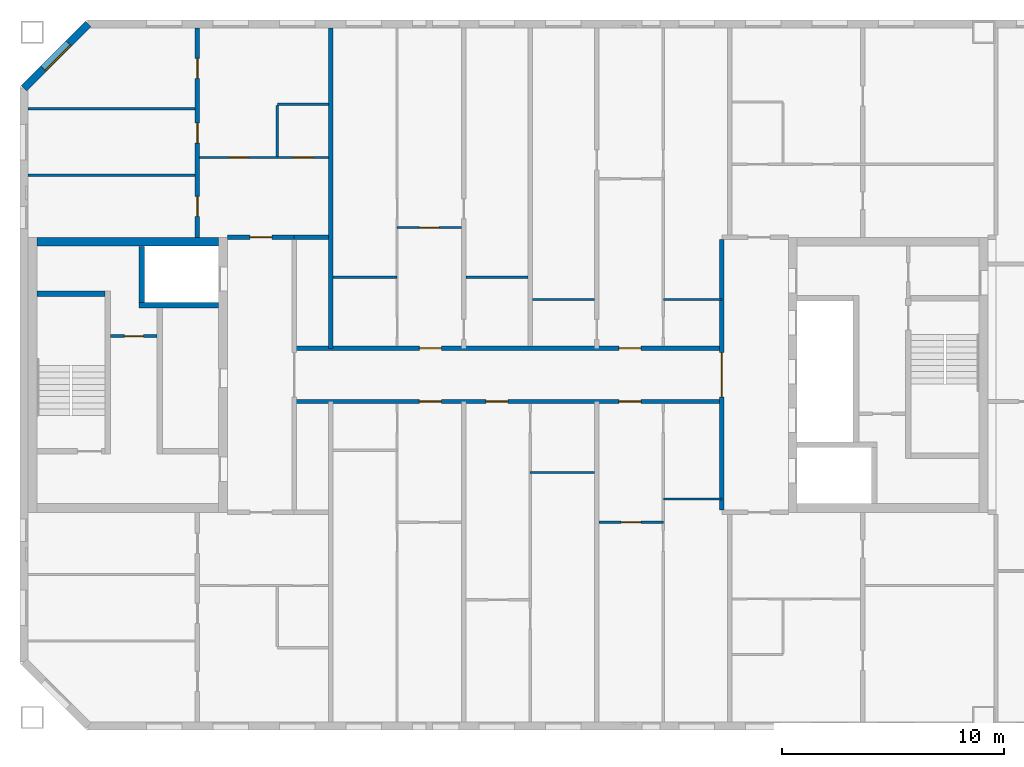
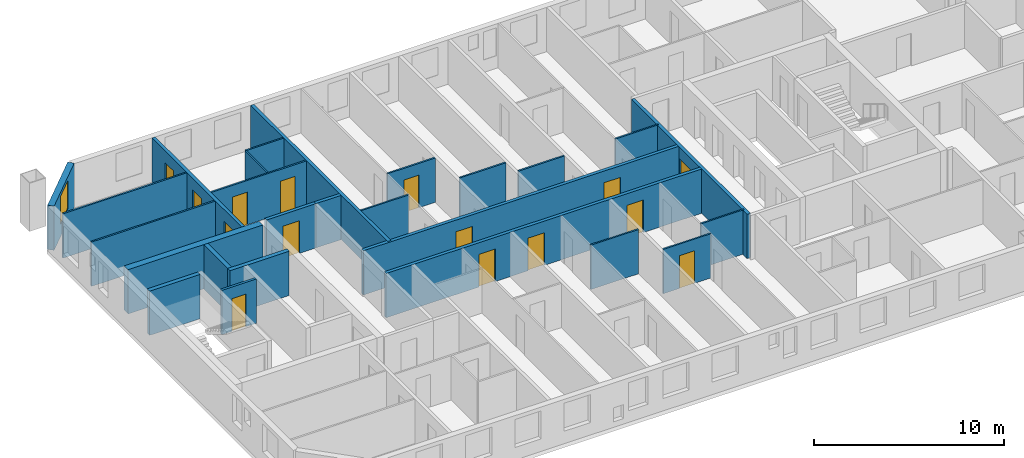
# One storey, part 6 of 19: 26 walls, 15 doors, 1 window, 16 openings.
"""IFC4 building model written with IfcOpenShell, lengths in metres."""

import ifcopenshell
import ifcopenshell.guid

model = None  # the IFC model being written
_history = None  # IfcOwnerHistory: only IFC2X3 demands one
_inside = {}  # id of a spatial element -> (the spatial element, [elements in it])
_under = {}  # id of a project, library or spatial element -> (it, [spatial elements below it])
_declared = {}  # id of a project -> (the project, [libraries it declares])
_typed = {}  # id of a type object -> (the type object, [elements of that type])
_made_of = {}  # id of a material, layer set ... -> (it, [elements and type objects made of it])


def new_model(schema):
    """Start an empty IFC model of exactly this schema.

    Asked for "IFC4X3", IfcOpenShell would pick the latest addendum, in which some entities
    have other attributes; the version numbers below select the first issue.
    IFC2X3 requires an IfcOwnerHistory on every rooted entity: one is made here for all.
    """
    global model, _history
    if schema == "IFC4X3":
        model = ifcopenshell.file(schema_version=(4, 3, 0, 0))
    else:
        model = ifcopenshell.file(schema=schema)
    _inside.clear()
    _under.clear()
    _declared.clear()
    _typed.clear()
    _made_of.clear()
    _history = None
    if model.schema == "IFC2X3":
        org = make("IfcOrganization", Name="unknown")
        user = make(
            "IfcPersonAndOrganization",
            ThePerson=make("IfcPerson", FamilyName="unknown"),
            TheOrganization=org,
        )
        app = make(
            "IfcApplication",
            ApplicationDeveloper=org,
            Version="unknown",
            ApplicationFullName="unknown",
            ApplicationIdentifier="unknown",
        )
        _history = make(
            "IfcOwnerHistory",
            OwningUser=user,
            OwningApplication=app,
            ChangeAction="ADDED",
            CreationDate=0,
        )
    return model


def make(cls, **values):
    """One entity of the class cls with the attributes given. An attribute that is None is left unset."""
    return model.create_entity(
        cls, **{name: value for name, value in values.items() if value is not None}
    )


def rooted(cls, **values):
    """An entity with a GlobalId (a new one), such as an element, a storey or a relation."""
    return make(cls, GlobalId=ifcopenshell.guid.new(), OwnerHistory=_history, **values)


def si_unit(unit_type, name, prefix=None):
    """IfcSIUnit, for example si_unit("LENGTHUNIT", "METRE", prefix="MILLI")."""
    return make("IfcSIUnit", UnitType=unit_type, Prefix=prefix, Name=name)


def assignment(units):
    """IfcUnitAssignment: the units of a project."""
    return None if units is None else make("IfcUnitAssignment", Units=units)


def point(xyz):
    """IfcCartesianPoint."""
    return None if xyz is None else make("IfcCartesianPoint", Coordinates=xyz)


def direction(xyz):
    """IfcDirection."""
    return None if xyz is None else make("IfcDirection", DirectionRatios=xyz)


def frame(location, z_axis=None, x_axis=None):
    """IfcAxis2Placement3D, a coordinate frame: its origin and axes. An axis left out is left unset."""
    return make(
        "IfcAxis2Placement3D",
        Location=point(location),
        Axis=direction(z_axis),
        RefDirection=direction(x_axis),
    )


def frame_2d(location, x_axis=None):
    """IfcAxis2Placement2D, a coordinate frame in the plane: its origin and x axis."""
    return make(
        "IfcAxis2Placement2D", Location=point(location), RefDirection=direction(x_axis)
    )


def origin():
    """The frame at (0, 0, 0) with its axes left unset."""
    return frame((0.0, 0.0, 0.0))


def place(relative_to, where):
    """IfcLocalPlacement: puts the frame where relative to a parent placement (None: the world)."""
    return make(
        "IfcLocalPlacement", PlacementRelTo=relative_to, RelativePlacement=where
    )


def context(
    kind, dimensions, precision=None, world=None, true_north=None, identifier=None
):
    """IfcGeometricRepresentationContext, for example the 3D "Model" context."""
    return make(
        "IfcGeometricRepresentationContext",
        ContextIdentifier=identifier,
        ContextType=kind,
        CoordinateSpaceDimension=dimensions,
        Precision=precision,
        WorldCoordinateSystem=world,
        TrueNorth=true_north,
    )


def subcontext(parent, identifier, kind, view, scale=None):
    """IfcGeometricRepresentationSubContext, for example "Body" below "Model"."""
    return make(
        "IfcGeometricRepresentationSubContext",
        ContextIdentifier=identifier,
        ContextType=kind,
        ParentContext=parent,
        TargetScale=scale,
        TargetView=view,
    )


def project(units=None, contexts=None):
    """IfcProject with its units and contexts."""
    return rooted(
        "IfcProject",
        Name="project",
        RepresentationContexts=contexts,
        UnitsInContext=assignment(units),
    )


def spatial(cls, under=None, at=None, **own):
    """A site, building, storey or space (cls), placed at a placement, below another one or the project."""
    s = rooted(cls, ObjectPlacement=at, **own)
    if under is not None:
        _under.setdefault(under.id(), (under, []))[1].append(s)
    return s


def profile(cls, at=None, kind="AREA", **sizes):
    """A parametric profile (cls). Its sizes go by their IFC names, for example OverallWidth=200.0."""
    return make(cls, ProfileType=kind, Position=at, **sizes)


def rectangle(**sizes):
    """IfcRectangleProfileDef."""
    return profile("IfcRectangleProfileDef", **sizes)


def extrude(swept, where, along, depth):
    """IfcExtrudedAreaSolid: the profile swept, set in the frame where, extruded along a direction by depth."""
    return make(
        "IfcExtrudedAreaSolid",
        SweptArea=swept,
        Position=where,
        ExtrudedDirection=direction(along),
        Depth=depth,
    )


def shape(context_of_items, identifier, shape_type, items):
    """IfcShapeRepresentation: the items that make up one representation, for example the "Body"."""
    return make(
        "IfcShapeRepresentation",
        ContextOfItems=context_of_items,
        RepresentationIdentifier=identifier,
        RepresentationType=shape_type,
        Items=items,
    )


def material(Name=None, Category=None):
    """IfcMaterial."""
    return make("IfcMaterial", Name=Name, Category=Category)


def layer(
    of_material, thickness, ventilated=None, Name=None, Category=None, Priority=None
):
    """IfcMaterialLayer: one layer of a wall or slab, of a material (None: an air gap)."""
    return make(
        "IfcMaterialLayer",
        Material=of_material,
        LayerThickness=thickness,
        IsVentilated=ventilated,
        Name=Name,
        Category=Category,
        Priority=Priority,
    )


def layer_set(layers, Name=None):
    """IfcMaterialLayerSet."""
    return make("IfcMaterialLayerSet", MaterialLayers=layers, LayerSetName=Name)


def made_of(thing, what):
    """Note that an element or type object is made of a material, layer set ...; save() writes the relation."""
    if what is not None:
        _made_of.setdefault(what.id(), (what, []))[1].append(thing)
    return thing


def type_object(cls, material=None, **own):
    """A type object (cls), such as IfcWallType, which elements share."""
    return made_of(rooted(cls, **own), material)


def element(
    cls,
    number,
    at=None,
    inside=None,
    cuts=None,
    type_object=None,
    material=None,
    context=None,
    identifier="Body",
    shape_type=None,
    held_by="IfcProductDefinitionShape",
    body=None,
    shapes=None,
    **own,
):
    """One element of the class cls, such as IfcWall. Its Tag is "e" and its number.

    at: its placement. inside: the storey or other place that contains it. cuts: it is an
    opening in that element (IfcRelVoidsElement). A single representation is given by context,
    identifier, shape_type and body (its items); several are given by shapes. held_by: the class
    of the entity that holds the representations. save() writes the other relations.
    """
    e = rooted(cls, Tag="e%d" % number, ObjectPlacement=at, **own)
    if body is not None:
        shapes = [shape(context, identifier, shape_type, body)]
    if shapes is not None:
        e.Representation = make(held_by, Representations=shapes)
    if inside is not None:
        _inside.setdefault(inside.id(), (inside, []))[1].append(e)
    if cuts is not None:
        rooted(
            "IfcRelVoidsElement", RelatingBuildingElement=cuts, RelatedOpeningElement=e
        )
    if type_object is not None:
        _typed.setdefault(type_object.id(), (type_object, []))[1].append(e)
    return made_of(e, material)


def fill(opening, filler):
    """IfcRelFillsElement: the door or window that sits in an opening."""
    return rooted(
        "IfcRelFillsElement",
        RelatingOpeningElement=opening,
        RelatedBuildingElement=filler,
    )


def aggregate(whole, parts):
    """IfcRelAggregates: a whole, such as a stair, and the parts it consists of."""
    return rooted("IfcRelAggregates", RelatingObject=whole, RelatedObjects=parts)


def save(model, path):
    """Write the relations noted so far, then the file.

    IfcRelAggregates (storeys below a building ...), IfcRelContainedInSpatialStructure (elements
    in a storey), IfcRelDefinesByType, IfcRelAssociatesMaterial and IfcRelDeclares: one each for
    every whole, place, type object, material and project.
    """
    for whole, parts in _under.values():
        aggregate(whole, parts)
    for where, things in _inside.values():
        rooted(
            "IfcRelContainedInSpatialStructure",
            RelatedElements=things,
            RelatingStructure=where,
        )
    for kind, things in _typed.values():
        rooted("IfcRelDefinesByType", RelatedObjects=things, RelatingType=kind)
    for what, things in _made_of.values():
        rooted("IfcRelAssociatesMaterial", RelatedObjects=things, RelatingMaterial=what)
    for by, libraries in _declared.values():
        rooted("IfcRelDeclares", RelatingContext=by, RelatedDefinitions=libraries)
    model.write(path)


model = new_model("IFC4")

# Units and contexts
model_context = context("Model", 3, precision=1e-05, world=origin(), true_north=direction((0.0, 1.0)))
body_context = subcontext(model_context, "Body", "Model", "MODEL_VIEW")
ifc_project = project(units=[si_unit("LENGTHUNIT", "METRE"), si_unit("AREAUNIT", "SQUARE_METRE"), si_unit("VOLUMEUNIT", "CUBIC_METRE"), si_unit("PLANEANGLEUNIT", "RADIAN"), si_unit("MASSUNIT", "GRAM", prefix="KILO")], contexts=[model_context])

# Site, building, storey
site_placement = place(None, origin())
site = spatial("IfcSite", under=ifc_project, at=site_placement, CompositionType="ELEMENT")
building_placement = place(site_placement, origin())
building = spatial("IfcBuilding", under=site, at=building_placement, Name="Tuart Gate Housing", CompositionType="ELEMENT")
storey_placement = place(building_placement, frame((0.0, 0.0, 227.60009765625)))
storey = spatial("IfcBuildingStorey", under=building, at=storey_placement, Name="L64", CompositionType="ELEMENT", Elevation=227.60009765625)

# Wall, opening, window
ifc_material_1 = material(Name="Brick", Category="masonry")
ifc_layer_1 = layer(ifc_material_1, 0.360107421875)
ifc_layer_set_1 = layer_set([ifc_layer_1], Name="Brick pier and spandrel wall 360")
wall_type_1 = type_object("IfcWallType", Name="Brick pier and spandrel wall 360", PredefinedType="STANDARD", material=ifc_layer_set_1)
wall_1_placement = place(storey_placement, frame((35.07470703125, 85.820068359375, 0.0), z_axis=(0.0, 0.0, 1.0), x_axis=(-0.707106781187, -0.707106781187, 0.0)))
wall_1 = element("IfcWall", 1, at=wall_1_placement, inside=storey, type_object=wall_type_1, Name="External wall BLK-NW L64", PredefinedType="STANDARD", context=body_context, shape_type="SweptSolid", body=[
    extrude(rectangle(XDim=4.09375, YDim=0.360107421875, at=frame_2d((2.046875, 0.0))), origin(), (0.0, 0.0, 1.0), 2.849853515625),
])
opening_1_placement = place(wall_1_placement, frame((1.2470703125, 0.0, 0.800048828125)))
opening_1 = element("IfcOpeningElement", 2, at=opening_1_placement, cuts=wall_1, Name="Opening W1", PredefinedType="OPENING", context=body_context, shape_type="SweptSolid", body=[
    extrude(rectangle(XDim=1.60009765625, YDim=1.800048828125, at=frame_2d((0.800048828125, 0.89990234375))), frame((0.0, 0.18994140625, 0.0), z_axis=(0.0, -1.0, 0.0), x_axis=(1.0, 0.0, 0.0)), (0.0, 0.0, 1.0), 0.380126953125),
])
ifc_material_2 = material(Name="Aluminium frame with clear glass", Category="aluminium")
window_type = type_object("IfcWindowType", Name="Punched window 1600 x 1800", PartitioningType="SINGLE_PANEL", PredefinedType="WINDOW", material=ifc_material_2)
window_placement = place(opening_1_placement, origin())
window = element("IfcWindow", 3, at=window_placement, inside=storey, type_object=window_type, Name="Window W1", OverallHeight=1.800048828125, OverallWidth=1.60009765625, PartitioningType="SINGLE_PANEL", PredefinedType="WINDOW", context=body_context, shape_type="SweptSolid", body=[
    extrude(rectangle(XDim=1.60009765625, YDim=1.800048828125, at=frame_2d((0.800048828125, 0.89990234375))), frame((0.0, 0.150146484375, 0.0), z_axis=(0.0, -1.0, 0.0), x_axis=(1.0, 0.0, 0.0)), (0.0, 0.0, 1.0), 0.06005859375),
])
fill(opening_1, window)

# Wall, opening, door
ifc_material_3 = material(Name="Plasterboard partition")
ifc_layer_2 = layer(ifc_material_3, 0.14990234375)
ifc_layer_set_2 = layer_set([ifc_layer_2], Name="Core partition 150")
wall_type_2 = type_object("IfcWallType", Name="Core partition 150", PredefinedType="PARTITIONING", material=ifc_layer_set_2)
wall_2_placement = place(storey_placement, frame((38.18505859375, 71.75, 0.0), z_axis=(0.0, 0.0, 1.0), x_axis=(-1.0, 0.0, 0.0)))
wall_2 = element("IfcWall", 4, at=wall_2_placement, inside=storey, type_object=wall_type_2, Name="Core partition AK.3", PredefinedType="PARTITIONING", context=body_context, shape_type="SweptSolid", body=[
    extrude(rectangle(XDim=2.10009765625, YDim=0.14990234375, at=frame_2d((1.050048828125, 0.0))), origin(), (0.0, 0.0, 1.0), 2.849853515625),
])
opening_2_placement = place(wall_2_placement, frame((0.625, 0.0, 0.0)))
opening_2 = element("IfcOpeningElement", 5, at=opening_2_placement, cuts=wall_2, Name="Opening D2298", PredefinedType="OPENING", context=body_context, shape_type="SweptSolid", body=[
    extrude(rectangle(XDim=0.85009765625, YDim=2.10009765625, at=frame_2d((0.425048828125, 1.050048828125))), frame((0.0, 0.0849609375, 0.0), z_axis=(0.0, -1.0, 0.0), x_axis=(1.0, 0.0, 0.0)), (0.0, 0.0, 1.0), 0.169921875),
])
ifc_material_4 = material(Name="Steel fire door", Category="steel")
door_type_1 = type_object("IfcDoorType", Name="Riser door 850 x 2100 RH", OperationType="SINGLE_SWING_RIGHT", PredefinedType="DOOR", material=ifc_material_4)
door_1_placement = place(opening_2_placement, frame((0.85009765625, 0.0, 0.0), z_axis=(0.0, 0.0, 1.0), x_axis=(-1.0, 0.0, 0.0)))
door_1 = element("IfcDoor", 6, at=door_1_placement, inside=storey, type_object=door_type_1, Name="Service room door AK.E1", OperationType="SINGLE_SWING_RIGHT", OverallHeight=2.10009765625, OverallWidth=0.85009765625, PredefinedType="DOOR", context=body_context, shape_type="SweptSolid", body=[
    extrude(rectangle(XDim=0.85009765625, YDim=2.10009765625, at=frame_2d((0.425048828125, 1.050048828125))), frame((0.0, 0.025146484375, 0.0), z_axis=(0.0, -1.0, 0.0), x_axis=(1.0, 0.0, 0.0)), (0.0, 0.0, 1.0), 0.050048828125),
])
fill(opening_2, door_1)

# Walls
ifc_material_5 = material(Name="Concrete C40", Category="concrete")
ifc_layer_3 = layer(ifc_material_5, 0.25)
ifc_layer_set_3 = layer_set([ifc_layer_3], Name="Core wall 250 C40")
wall_type_3 = type_object("IfcWallType", Name="Core wall 250 C40", PredefinedType="SHEAR", material=ifc_layer_set_3)
wall_3_placement = place(storey_placement, frame((35.8349609375, 73.64990234375, 0.0), z_axis=(0.0, 0.0, 1.0), x_axis=(-1.0, 0.0, 0.0)))
element("IfcWall", 7, at=wall_3_placement, inside=storey, type_object=wall_type_3, Name="Core wall AK.1", PredefinedType="SHEAR", context=body_context, shape_type="SweptSolid", body=[
    extrude(rectangle(XDim=3.074951171875, YDim=0.25, at=frame_2d((1.53759765625, 0.0))), origin(), (0.0, 0.0, 1.0), 2.849853515625),
])
wall_4_placement = place(storey_placement, frame((40.9599609375, 73.14990234375, 0.0), z_axis=(0.0, 0.0, 1.0), x_axis=(-1.0, 0.0, 0.0)))
element("IfcWall", 8, at=wall_4_placement, inside=storey, type_object=wall_type_3, Name="Core wall AK.2", PredefinedType="SHEAR", context=body_context, shape_type="SweptSolid", body=[
    extrude(rectangle(XDim=3.594970703125, YDim=0.25, at=frame_2d((1.79736328125, 0.0))), origin(), (0.0, 0.0, 1.0), 2.849853515625),
])
wall_5_placement = place(storey_placement, frame((37.489990234375, 75.800048828125, 0.0), z_axis=(0.0, 0.0, 1.0), x_axis=(0.0, -1.0, 0.0)))
element("IfcWall", 9, at=wall_5_placement, inside=storey, type_object=wall_type_3, Name="Core wall AK.7", PredefinedType="SHEAR", context=body_context, shape_type="SweptSolid", body=[
    extrude(rectangle(XDim=2.525146484375, YDim=0.25, at=frame_2d((1.2626953125, 0.0))), origin(), (0.0, 0.0, 1.0), 2.849853515625),
])
ifc_material_6 = material(Name="Concrete C40", Category="concrete")
ifc_layer_4 = layer(ifc_material_6, 0.39990234375)
ifc_layer_set_4 = layer_set([ifc_layer_4], Name="Core wall 400 C40")
wall_type_4 = type_object("IfcWallType", Name="Core wall 400 C40", PredefinedType="SHEAR", material=ifc_layer_set_4)
wall_6_placement = place(storey_placement, frame((40.9599609375, 76.0, 0.0), z_axis=(0.0, 0.0, 1.0), x_axis=(-1.0, 0.0, 0.0)))
element("IfcWall", 10, at=wall_6_placement, inside=storey, type_object=wall_type_4, Name="Core wall AK south", PredefinedType="SHEAR", context=body_context, shape_type="SweptSolid", body=[
    extrude(rectangle(XDim=8.199951171875, YDim=0.39990234375, at=frame_2d((4.10009765625, 0.0))), origin(), (0.0, 0.0, 1.0), 2.849853515625),
])

# Wall, openings, doors
ifc_material_7 = material(Name="Concrete masonry 15 MPa", Category="masonry")
ifc_layer_5 = layer(ifc_material_7, 0.199951171875)
ifc_layer_set_5 = layer_set([ifc_layer_5], Name="Corridor wall masonry 200")
wall_type_5 = type_object("IfcWallType", Name="Corridor wall masonry 200", PredefinedType="PARTITIONING", material=ifc_layer_set_5)
wall_7_placement = place(storey_placement, frame((44.360107421875, 68.800048828125, 0.0), z_axis=(0.0, 0.0, 1.0), x_axis=(1.0, 0.0, 0.0)))
wall_7 = element("IfcWall", 11, at=wall_7_placement, inside=storey, type_object=wall_type_5, Name="Corridor wall masonry 200", PredefinedType="PARTITIONING", context=body_context, shape_type="SweptSolid", body=[
    extrude(rectangle(XDim=19.27978515625, YDim=0.199951171875, at=frame_2d((9.639892578125, 0.0))), origin(), (0.0, 0.0, 1.0), 2.849853515625),
])
opening_3_placement = place(wall_7_placement, frame((14.639892578125, 0.0, 0.0)))
opening_3 = element("IfcOpeningElement", 12, at=opening_3_placement, cuts=wall_7, Name="Opening D2308", PredefinedType="OPENING", context=body_context, shape_type="SweptSolid", body=[
    extrude(rectangle(XDim=1.0, YDim=2.10009765625, at=frame_2d((0.5, 1.050048828125))), frame((0.0, 0.10986328125, 0.0), z_axis=(0.0, -1.0, 0.0), x_axis=(1.0, 0.0, 0.0)), (0.0, 0.0, 1.0), 0.219970703125),
])
opening_4_placement = place(wall_7_placement, frame((8.639892578125, 0.0, 0.0)))
opening_4 = element("IfcOpeningElement", 13, at=opening_4_placement, cuts=wall_7, Name="Opening D2309", PredefinedType="OPENING", context=body_context, shape_type="SweptSolid", body=[
    extrude(rectangle(XDim=1.0, YDim=2.10009765625, at=frame_2d((0.5, 1.050048828125))), frame((0.0, 0.10986328125, 0.0), z_axis=(0.0, -1.0, 0.0), x_axis=(1.0, 0.0, 0.0)), (0.0, 0.0, 1.0), 0.219970703125),
])
opening_5_placement = place(wall_7_placement, frame((5.639892578125, 0.0, 0.0)))
opening_5 = element("IfcOpeningElement", 14, at=opening_5_placement, cuts=wall_7, Name="Opening D2310", PredefinedType="OPENING", context=body_context, shape_type="SweptSolid", body=[
    extrude(rectangle(XDim=1.0, YDim=2.10009765625, at=frame_2d((0.5, 1.050048828125))), frame((0.0, 0.10986328125, 0.0), z_axis=(0.0, -1.0, 0.0), x_axis=(1.0, 0.0, 0.0)), (0.0, 0.0, 1.0), 0.219970703125),
])
ifc_material_8 = material(Name="Timber door leaf in steel frame", Category="steel")
door_type_2 = type_object("IfcDoorType", Name="Flat entrance door 1000 RH", OperationType="SINGLE_SWING_RIGHT", PredefinedType="DOOR", material=ifc_material_8)
door_2_placement = place(opening_3_placement, frame((1.0, 0.0, 0.0), z_axis=(0.0, 0.0, 1.0), x_axis=(-1.0, 0.0, 0.0)))
door_2 = element("IfcDoor", 15, at=door_2_placement, inside=storey, type_object=door_type_2, Name="Flat entrance door", OperationType="SINGLE_SWING_RIGHT", OverallHeight=2.10009765625, OverallWidth=1.0, PredefinedType="DOOR", context=body_context, shape_type="SweptSolid", body=[
    extrude(rectangle(XDim=1.0, YDim=2.10009765625, at=frame_2d((0.5, 1.050048828125))), frame((0.0, 0.025146484375, 0.0), z_axis=(0.0, -1.0, 0.0), x_axis=(1.0, 0.0, 0.0)), (0.0, 0.0, 1.0), 0.050048828125),
])
fill(opening_3, door_2)
door_3_placement = place(opening_4_placement, frame((1.0, 0.0, 0.0), z_axis=(0.0, 0.0, 1.0), x_axis=(-1.0, 0.0, 0.0)))
door_3 = element("IfcDoor", 16, at=door_3_placement, inside=storey, type_object=door_type_2, Name="Flat entrance door", OperationType="SINGLE_SWING_RIGHT", OverallHeight=2.10009765625, OverallWidth=1.0, PredefinedType="DOOR", context=body_context, shape_type="SweptSolid", body=[
    extrude(rectangle(XDim=1.0, YDim=2.10009765625, at=frame_2d((0.5, 1.050048828125))), frame((0.0, 0.025146484375, 0.0), z_axis=(0.0, -1.0, 0.0), x_axis=(1.0, 0.0, 0.0)), (0.0, 0.0, 1.0), 0.050048828125),
])
fill(opening_4, door_3)
door_4_placement = place(opening_5_placement, frame((1.0, 0.0, 0.0), z_axis=(0.0, 0.0, 1.0), x_axis=(-1.0, 0.0, 0.0)))
door_4 = element("IfcDoor", 17, at=door_4_placement, inside=storey, type_object=door_type_2, Name="Flat entrance door", OperationType="SINGLE_SWING_RIGHT", OverallHeight=2.10009765625, OverallWidth=1.0, PredefinedType="DOOR", context=body_context, shape_type="SweptSolid", body=[
    extrude(rectangle(XDim=1.0, YDim=2.10009765625, at=frame_2d((0.5, 1.050048828125))), frame((0.0, 0.025146484375, 0.0), z_axis=(0.0, -1.0, 0.0), x_axis=(1.0, 0.0, 0.0)), (0.0, 0.0, 1.0), 0.050048828125),
])
fill(opening_5, door_4)

wall_8_placement = place(storey_placement, frame((44.360107421875, 71.199951171875, 0.0), z_axis=(0.0, 0.0, 1.0), x_axis=(1.0, 0.0, 0.0)))
wall_8 = element("IfcWall", 18, at=wall_8_placement, inside=storey, type_object=wall_type_5, Name="Corridor wall masonry 200", PredefinedType="PARTITIONING", context=body_context, shape_type="SweptSolid", body=[
    extrude(rectangle(XDim=19.27978515625, YDim=0.199951171875, at=frame_2d((9.639892578125, 0.0))), origin(), (0.0, 0.0, 1.0), 2.849853515625),
])
opening_6_placement = place(wall_8_placement, frame((14.639892578125, 0.0, 0.0)))
opening_6 = element("IfcOpeningElement", 19, at=opening_6_placement, cuts=wall_8, Name="Opening D2299", PredefinedType="OPENING", context=body_context, shape_type="SweptSolid", body=[
    extrude(rectangle(XDim=1.0, YDim=2.10009765625, at=frame_2d((0.5, 1.050048828125))), frame((0.0, 0.10986328125, 0.0), z_axis=(0.0, -1.0, 0.0), x_axis=(1.0, 0.0, 0.0)), (0.0, 0.0, 1.0), 0.219970703125),
])
opening_7_placement = place(wall_8_placement, frame((5.639892578125, 0.0, 0.0)))
opening_7 = element("IfcOpeningElement", 20, at=opening_7_placement, cuts=wall_8, Name="Opening D2300", PredefinedType="OPENING", context=body_context, shape_type="SweptSolid", body=[
    extrude(rectangle(XDim=1.0, YDim=2.10009765625, at=frame_2d((0.5, 1.050048828125))), frame((0.0, 0.10986328125, 0.0), z_axis=(0.0, -1.0, 0.0), x_axis=(1.0, 0.0, 0.0)), (0.0, 0.0, 1.0), 0.219970703125),
])
ifc_material_9 = material(Name="Timber door leaf in steel frame", Category="steel")
door_type_3 = type_object("IfcDoorType", Name="Flat entrance door 1000", OperationType="SINGLE_SWING_LEFT", PredefinedType="DOOR", material=ifc_material_9)
door_5_placement = place(opening_6_placement, origin())
door_5 = element("IfcDoor", 21, at=door_5_placement, inside=storey, type_object=door_type_3, Name="Flat entrance door", OperationType="SINGLE_SWING_LEFT", OverallHeight=2.10009765625, OverallWidth=1.0, PredefinedType="DOOR", context=body_context, shape_type="SweptSolid", body=[
    extrude(rectangle(XDim=1.0, YDim=2.10009765625, at=frame_2d((0.5, 1.050048828125))), frame((0.0, 0.02490234375, 0.0), z_axis=(0.0, -1.0, 0.0), x_axis=(1.0, 0.0, 0.0)), (0.0, 0.0, 1.0), 0.050048828125),
])
fill(opening_6, door_5)
door_6_placement = place(opening_7_placement, origin())
door_6 = element("IfcDoor", 22, at=door_6_placement, inside=storey, type_object=door_type_3, Name="Flat entrance door", OperationType="SINGLE_SWING_LEFT", OverallHeight=2.10009765625, OverallWidth=1.0, PredefinedType="DOOR", context=body_context, shape_type="SweptSolid", body=[
    extrude(rectangle(XDim=1.0, YDim=2.10009765625, at=frame_2d((0.5, 1.050048828125))), frame((0.0, 0.02490234375, 0.0), z_axis=(0.0, -1.0, 0.0), x_axis=(1.0, 0.0, 0.0)), (0.0, 0.0, 1.0), 0.050048828125),
])
fill(opening_7, door_6)

# Wall, opening, door
ifc_material_10 = material(Name="Concrete masonry 15 MPa", Category="masonry")
ifc_layer_6 = layer(ifc_material_10, 0.199951171875)
ifc_layer_set_6 = layer_set([ifc_layer_6], Name="Enclosure wall masonry 200")
wall_type_6 = type_object("IfcWallType", Name="Enclosure wall masonry 200", PredefinedType="PARTITIONING", material=ifc_layer_set_6)
wall_9_placement = place(storey_placement, frame((41.360107421875, 76.199951171875, 0.0), z_axis=(0.0, 0.0, 1.0), x_axis=(1.0, 0.0, 0.0)))
wall_9 = element("IfcWall", 23, at=wall_9_placement, inside=storey, type_object=wall_type_6, Name="Enclosure wall masonry 200", PredefinedType="PARTITIONING", context=body_context, shape_type="SweptSolid", body=[
    extrude(rectangle(XDim=3.0, YDim=0.199951171875, at=frame_2d((1.5, 0.0))), origin(), (0.0, 0.0, 1.0), 2.849853515625),
])
opening_8_placement = place(wall_9_placement, frame((1.0, 0.0, 0.0)))
opening_8 = element("IfcOpeningElement", 24, at=opening_8_placement, cuts=wall_9, Name="Opening D2295", PredefinedType="OPENING", context=body_context, shape_type="SweptSolid", body=[
    extrude(rectangle(XDim=1.0, YDim=2.10009765625, at=frame_2d((0.5, 1.050048828125))), frame((0.0, 0.10986328125, 0.0), z_axis=(0.0, -1.0, 0.0), x_axis=(1.0, 0.0, 0.0)), (0.0, 0.0, 1.0), 0.219970703125),
])
door_7_placement = place(opening_8_placement, origin())
door_7 = element("IfcDoor", 25, at=door_7_placement, inside=storey, type_object=door_type_3, Name="Flat entrance door", OperationType="SINGLE_SWING_LEFT", OverallHeight=2.10009765625, OverallWidth=1.0, PredefinedType="DOOR", context=body_context, shape_type="SweptSolid", body=[
    extrude(rectangle(XDim=1.0, YDim=2.10009765625, at=frame_2d((0.5, 1.050048828125))), frame((0.0, 0.02490234375, 0.0), z_axis=(0.0, -1.0, 0.0), x_axis=(1.0, 0.0, 0.0)), (0.0, 0.0, 1.0), 0.050048828125),
])
fill(opening_8, door_7)

ifc_material_11 = material(Name="Plasterboard partition")
ifc_layer_7 = layer(ifc_material_11, 0.199951171875)
ifc_layer_set_7 = layer_set([ifc_layer_7], Name="Lobby wall 200")
wall_type_7 = type_object("IfcWallType", Name="Lobby wall 200", PredefinedType="PARTITIONING", material=ifc_layer_set_7)
wall_10_placement = place(storey_placement, frame((63.639892578125, 63.89990234375, 0.0), z_axis=(0.0, 0.0, 1.0), x_axis=(0.0, 1.0, 0.0)))
wall_10 = element("IfcWall", 26, at=wall_10_placement, inside=storey, type_object=wall_type_7, Name="Lift lobby wall AG", PredefinedType="PARTITIONING", context=body_context, shape_type="SweptSolid", body=[
    extrude(rectangle(XDim=12.2001953125, YDim=0.199951171875, at=frame_2d((6.10009765625, 0.0))), origin(), (0.0, 0.0, 1.0), 2.849853515625),
])
opening_9_placement = place(wall_10_placement, frame((5.10009765625, 0.0, 0.0)))
opening_9 = element("IfcOpeningElement", 27, at=opening_9_placement, cuts=wall_10, Name="Opening D2304", PredefinedType="OPENING", context=body_context, shape_type="SweptSolid", body=[
    extrude(rectangle(XDim=2.0, YDim=2.10009765625, at=frame_2d((1.0, 1.050048828125))), frame((0.0, 0.10986328125, 0.0), z_axis=(0.0, -1.0, 0.0), x_axis=(1.0, 0.0, 0.0)), (0.0, 0.0, 1.0), 0.219970703125),
])
ifc_material_12 = material(Name="Steel fire door", Category="steel")
door_type_4 = type_object("IfcDoorType", Name="Smoke door 2000 x 2100", OperationType="DOUBLE_DOOR_SINGLE_SWING", PredefinedType="DOOR", material=ifc_material_12)
door_8_placement = place(opening_9_placement, frame((2.0, 0.0, 0.0), z_axis=(0.0, 0.0, 1.0), x_axis=(-1.0, 0.0, 0.0)))
door_8 = element("IfcDoor", 28, at=door_8_placement, inside=storey, type_object=door_type_4, Name="Lift lobby smoke door AG", OperationType="DOUBLE_DOOR_SINGLE_SWING", OverallHeight=2.10009765625, OverallWidth=2.0, PredefinedType="DOOR", context=body_context, shape_type="SweptSolid", body=[
    extrude(rectangle(XDim=2.0, YDim=2.10009765625, at=frame_2d((1.0, 1.050048828125))), frame((0.0, 0.025146484375, 0.0), z_axis=(0.0, -1.0, 0.0), x_axis=(1.0, 0.0, 0.0)), (0.0, 0.0, 1.0), 0.050048828125),
])
fill(opening_9, door_8)

ifc_material_13 = material(Name="Gypsum board on steel studs", Category="steel")
ifc_layer_8 = layer(ifc_material_13, 0.10009765625)
ifc_layer_set_8 = layer_set([ifc_layer_8], Name="Partition 100")
wall_type_8 = type_object("IfcWallType", Name="Partition 100", PredefinedType="PARTITIONING", material=ifc_layer_set_8)
wall_11_placement = place(storey_placement, frame((58.10009765625, 63.360107421875, 0.0), z_axis=(0.0, 0.0, 1.0), x_axis=(1.0, 0.0, 0.0)))
wall_11 = element("IfcWall", 29, at=wall_11_placement, inside=storey, type_object=wall_type_8, Name="Partition 100", PredefinedType="PARTITIONING", context=body_context, shape_type="SweptSolid", body=[
    extrude(rectangle(XDim=2.89990234375, YDim=0.10009765625, at=frame_2d((1.449951171875, 0.0))), origin(), (0.0, 0.0, 1.0), 2.849853515625),
])
opening_10_placement = place(wall_11_placement, frame((1.0, 0.0, 0.0)))
opening_10 = element("IfcOpeningElement", 30, at=opening_10_placement, cuts=wall_11, Name="Opening D2316", PredefinedType="OPENING", context=body_context, shape_type="SweptSolid", body=[
    extrude(rectangle(XDim=0.89990234375, YDim=2.10009765625, at=frame_2d((0.449951171875, 1.050048828125))), frame((0.0, 0.06005859375, 0.0), z_axis=(0.0, -1.0, 0.0), x_axis=(1.0, 0.0, 0.0)), (0.0, 0.0, 1.0), 0.1201171875),
])
ifc_material_14 = material(Name="Timber door leaf in steel frame", Category="steel")
door_type_5 = type_object("IfcDoorType", Name="Internal door 900 RH", OperationType="SINGLE_SWING_RIGHT", PredefinedType="DOOR", material=ifc_material_14)
door_9_placement = place(opening_10_placement, origin())
door_9 = element("IfcDoor", 31, at=door_9_placement, inside=storey, type_object=door_type_5, Name="Internal door", OperationType="SINGLE_SWING_RIGHT", OverallHeight=2.10009765625, OverallWidth=0.89990234375, PredefinedType="DOOR", context=body_context, shape_type="SweptSolid", body=[
    extrude(rectangle(XDim=0.89990234375, YDim=2.10009765625, at=frame_2d((0.449951171875, 1.050048828125))), frame((0.0, 0.02490234375, 0.0), z_axis=(0.0, -1.0, 0.0), x_axis=(1.0, 0.0, 0.0)), (0.0, 0.0, 1.0), 0.050048828125),
])
fill(opening_10, door_9)

# Walls
wall_12_placement = place(storey_placement, frame((61.0, 64.39990234375, 0.0), z_axis=(0.0, 0.0, 1.0), x_axis=(1.0, 0.0, 0.0)))
element("IfcWall", 32, at=wall_12_placement, inside=storey, type_object=wall_type_8, Name="Partition 100", PredefinedType="PARTITIONING", context=body_context, shape_type="SweptSolid", body=[
    extrude(rectangle(XDim=2.639892578125, YDim=0.10009765625, at=frame_2d((1.31982421875, 0.0))), origin(), (0.0, 0.0, 1.0), 2.849853515625),
])
wall_13_placement = place(storey_placement, frame((55.0, 65.60009765625, 0.0), z_axis=(0.0, 0.0, 1.0), x_axis=(1.0, 0.0, 0.0)))
element("IfcWall", 33, at=wall_13_placement, inside=storey, type_object=wall_type_8, Name="Partition 100", PredefinedType="PARTITIONING", context=body_context, shape_type="SweptSolid", body=[
    extrude(rectangle(XDim=2.89990234375, YDim=0.10009765625, at=frame_2d((1.449951171875, 0.0))), origin(), (0.0, 0.0, 1.0), 2.849853515625),
])
wall_14_placement = place(storey_placement, frame((55.10009765625, 73.39990234375, 0.0), z_axis=(0.0, 0.0, 1.0), x_axis=(1.0, 0.0, 0.0)))
element("IfcWall", 34, at=wall_14_placement, inside=storey, type_object=wall_type_8, Name="Partition 100", PredefinedType="PARTITIONING", context=body_context, shape_type="SweptSolid", body=[
    extrude(rectangle(XDim=2.7998046875, YDim=0.10009765625, at=frame_2d((1.39990234375, 0.0))), origin(), (0.0, 0.0, 1.0), 2.849853515625),
])
wall_15_placement = place(storey_placement, frame((61.0, 73.39990234375, 0.0), z_axis=(0.0, 0.0, 1.0), x_axis=(1.0, 0.0, 0.0)))
element("IfcWall", 35, at=wall_15_placement, inside=storey, type_object=wall_type_8, Name="Partition 100", PredefinedType="PARTITIONING", context=body_context, shape_type="SweptSolid", body=[
    extrude(rectangle(XDim=2.639892578125, YDim=0.10009765625, at=frame_2d((1.31982421875, 0.0))), origin(), (0.0, 0.0, 1.0), 2.849853515625),
])
wall_16_placement = place(storey_placement, frame((46.10009765625, 74.39990234375, 0.0), z_axis=(0.0, 0.0, 1.0), x_axis=(1.0, 0.0, 0.0)))
element("IfcWall", 36, at=wall_16_placement, inside=storey, type_object=wall_type_8, Name="Partition 100", PredefinedType="PARTITIONING", context=body_context, shape_type="SweptSolid", body=[
    extrude(rectangle(XDim=2.89990234375, YDim=0.10009765625, at=frame_2d((1.449951171875, 0.0))), origin(), (0.0, 0.0, 1.0), 2.849853515625),
])
wall_17_placement = place(storey_placement, frame((52.10009765625, 74.39990234375, 0.0), z_axis=(0.0, 0.0, 1.0), x_axis=(1.0, 0.0, 0.0)))
element("IfcWall", 37, at=wall_17_placement, inside=storey, type_object=wall_type_8, Name="Partition 100", PredefinedType="PARTITIONING", context=body_context, shape_type="SweptSolid", body=[
    extrude(rectangle(XDim=2.7998046875, YDim=0.10009765625, at=frame_2d((1.39990234375, 0.0))), origin(), (0.0, 0.0, 1.0), 2.849853515625),
])

# Wall, opening, door
wall_18_placement = place(storey_placement, frame((49.0, 76.639892578125, 0.0), z_axis=(0.0, 0.0, 1.0), x_axis=(1.0, 0.0, 0.0)))
wall_18 = element("IfcWall", 38, at=wall_18_placement, inside=storey, type_object=wall_type_8, Name="Partition 100", PredefinedType="PARTITIONING", context=body_context, shape_type="SweptSolid", body=[
    extrude(rectangle(XDim=2.89990234375, YDim=0.10009765625, at=frame_2d((1.449951171875, 0.0))), origin(), (0.0, 0.0, 1.0), 2.849853515625),
])
opening_11_placement = place(wall_18_placement, frame((1.0, 0.0, 0.0)))
opening_11 = element("IfcOpeningElement", 39, at=opening_11_placement, cuts=wall_18, Name="Opening D2294", PredefinedType="OPENING", context=body_context, shape_type="SweptSolid", body=[
    extrude(rectangle(XDim=0.89990234375, YDim=2.10009765625, at=frame_2d((0.449951171875, 1.050048828125))), frame((0.0, 0.06005859375, 0.0), z_axis=(0.0, -1.0, 0.0), x_axis=(1.0, 0.0, 0.0)), (0.0, 0.0, 1.0), 0.1201171875),
])
door_10_placement = place(opening_11_placement, frame((0.89990234375, 0.0, 0.0), z_axis=(0.0, 0.0, 1.0), x_axis=(-1.0, 0.0, 0.0)))
door_10 = element("IfcDoor", 40, at=door_10_placement, inside=storey, type_object=door_type_5, Name="Internal door", OperationType="SINGLE_SWING_RIGHT", OverallHeight=2.10009765625, OverallWidth=0.89990234375, PredefinedType="DOOR", context=body_context, shape_type="SweptSolid", body=[
    extrude(rectangle(XDim=0.89990234375, YDim=2.10009765625, at=frame_2d((0.449951171875, 1.050048828125))), frame((0.0, 0.025146484375, 0.0), z_axis=(0.0, -1.0, 0.0), x_axis=(1.0, 0.0, 0.0)), (0.0, 0.0, 1.0), 0.050048828125),
])
fill(opening_11, door_10)

# Wall
wall_19_placement = place(storey_placement, frame((32.360107421875, 79.0, 0.0), z_axis=(0.0, 0.0, 1.0), x_axis=(1.0, 0.0, 0.0)))
element("IfcWall", 41, at=wall_19_placement, inside=storey, type_object=wall_type_8, Name="Partition 100", PredefinedType="PARTITIONING", context=body_context, shape_type="SweptSolid", body=[
    extrude(rectangle(XDim=7.539794921875, YDim=0.10009765625, at=frame_2d((3.77001953125, 0.0))), origin(), (0.0, 0.0, 1.0), 2.849853515625),
])

# Wall, openings, doors
wall_20_placement = place(storey_placement, frame((40.10009765625, 79.800048828125, 0.0), z_axis=(0.0, 0.0, 1.0), x_axis=(1.0, 0.0, 0.0)))
wall_20 = element("IfcWall", 42, at=wall_20_placement, inside=storey, type_object=wall_type_8, Name="Partition 100", PredefinedType="PARTITIONING", context=body_context, shape_type="SweptSolid", body=[
    extrude(rectangle(XDim=5.7998046875, YDim=0.10009765625, at=frame_2d((2.89990234375, 0.0))), origin(), (0.0, 0.0, 1.0), 2.849853515625),
])
opening_12_placement = place(wall_20_placement, frame((1.300048828125, 0.0, 0.0)))
opening_12 = element("IfcOpeningElement", 43, at=opening_12_placement, cuts=wall_20, Name="Opening D2282", PredefinedType="OPENING", context=body_context, shape_type="SweptSolid", body=[
    extrude(rectangle(XDim=0.89990234375, YDim=2.10009765625, at=frame_2d((0.449951171875, 1.050048828125))), frame((0.0, 0.06005859375, 0.0), z_axis=(0.0, -1.0, 0.0), x_axis=(1.0, 0.0, 0.0)), (0.0, 0.0, 1.0), 0.1201171875),
])
opening_13_placement = place(wall_20_placement, frame((4.199951171875, 0.0, 0.0)))
opening_13 = element("IfcOpeningElement", 44, at=opening_13_placement, cuts=wall_20, Name="Opening D2281", PredefinedType="OPENING", context=body_context, shape_type="SweptSolid", body=[
    extrude(rectangle(XDim=0.89990234375, YDim=2.10009765625, at=frame_2d((0.449951171875, 1.050048828125))), frame((0.0, 0.06005859375, 0.0), z_axis=(0.0, -1.0, 0.0), x_axis=(1.0, 0.0, 0.0)), (0.0, 0.0, 1.0), 0.1201171875),
])
ifc_material_15 = material(Name="Timber door leaf in steel frame", Category="steel")
door_type_6 = type_object("IfcDoorType", Name="Bathroom door 900", OperationType="SINGLE_SWING_LEFT", PredefinedType="DOOR", material=ifc_material_15)
door_11_placement = place(opening_13_placement, origin())
door_11 = element("IfcDoor", 45, at=door_11_placement, inside=storey, type_object=door_type_6, Name="Bathroom door", OperationType="SINGLE_SWING_LEFT", OverallHeight=2.10009765625, OverallWidth=0.89990234375, PredefinedType="DOOR", context=body_context, shape_type="SweptSolid", body=[
    extrude(rectangle(XDim=0.89990234375, YDim=2.10009765625, at=frame_2d((0.449951171875, 1.050048828125))), frame((0.0, 0.02490234375, 0.0), z_axis=(0.0, -1.0, 0.0), x_axis=(1.0, 0.0, 0.0)), (0.0, 0.0, 1.0), 0.050048828125),
])
fill(opening_13, door_11)
door_12_placement = place(opening_12_placement, frame((0.89990234375, 0.0, 0.0), z_axis=(0.0, 0.0, 1.0), x_axis=(-1.0, 0.0, 0.0)))
door_12 = element("IfcDoor", 46, at=door_12_placement, inside=storey, type_object=door_type_5, Name="Internal door", OperationType="SINGLE_SWING_RIGHT", OverallHeight=2.10009765625, OverallWidth=0.89990234375, PredefinedType="DOOR", context=body_context, shape_type="SweptSolid", body=[
    extrude(rectangle(XDim=0.89990234375, YDim=2.10009765625, at=frame_2d((0.449951171875, 1.050048828125))), frame((0.0, 0.025146484375, 0.0), z_axis=(0.0, -1.0, 0.0), x_axis=(1.0, 0.0, 0.0)), (0.0, 0.0, 1.0), 0.050048828125),
])
fill(opening_12, door_12)

# Walls
wall_21_placement = place(storey_placement, frame((32.360107421875, 82.0, 0.0), z_axis=(0.0, 0.0, 1.0), x_axis=(1.0, 0.0, 0.0)))
element("IfcWall", 47, at=wall_21_placement, inside=storey, type_object=wall_type_8, Name="Partition 100", PredefinedType="PARTITIONING", context=body_context, shape_type="SweptSolid", body=[
    extrude(rectangle(XDim=7.539794921875, YDim=0.10009765625, at=frame_2d((3.77001953125, 0.0))), origin(), (0.0, 0.0, 1.0), 2.849853515625),
])
for number, where, z_axis, x_axis, name in (
    (48, (43.60009765625, 82.199951171875, 0.0), (0.0, 0.0, 1.0), (1.0, 0.0, 0.0), "Partition 100"),
    (49, (43.60009765625, 79.85009765625, 0.0), (0.0, 0.0, 1.0), (0.0, 1.0, 0.0), "Partition 100"),
):
    element("IfcWall", number, at=place(storey_placement, frame(where, z_axis=z_axis, x_axis=x_axis)), inside=storey, type_object=wall_type_8, Name=name, PredefinedType="PARTITIONING", context=body_context, shape_type="SweptSolid", body=[
        extrude(rectangle(XDim=2.2998046875, YDim=0.10009765625, at=frame_2d((1.14990234375, 0.0))), origin(), (0.0, 0.0, 1.0), 2.849853515625),
    ])

# Wall, openings, doors
ifc_material_16 = material(Name="Concrete C40", Category="concrete")
ifc_layer_9 = layer(ifc_material_16, 0.199951171875)
ifc_layer_set_9 = layer_set([ifc_layer_9], Name="Party wall concrete C40 200")
wall_type_9 = type_object("IfcWallType", Name="Party wall concrete C40 200", PredefinedType="SOLIDWALL", material=ifc_layer_set_9)
wall_22_placement = place(storey_placement, frame((40.0, 76.199951171875, 0.0), z_axis=(0.0, 0.0, 1.0), x_axis=(0.0, 1.0, 0.0)))
wall_22 = element("IfcWall", 50, at=wall_22_placement, inside=storey, type_object=wall_type_9, Name="Party wall concrete C40 200", PredefinedType="SOLIDWALL", context=body_context, shape_type="SweptSolid", body=[
    extrude(rectangle(XDim=9.43994140625, YDim=0.199951171875, at=frame_2d((4.719970703125, 0.0))), origin(), (0.0, 0.0, 1.0), 2.849853515625),
])
opening_14_placement = place(wall_22_placement, frame((7.169921875, 0.0, 0.0)))
opening_14 = element("IfcOpeningElement", 51, at=opening_14_placement, cuts=wall_22, Name="Opening D2276", PredefinedType="OPENING", context=body_context, shape_type="SweptSolid", body=[
    extrude(rectangle(XDim=0.89990234375, YDim=2.10009765625, at=frame_2d((0.449951171875, 1.050048828125))), frame((0.0, 0.10986328125, 0.0), z_axis=(0.0, -1.0, 0.0), x_axis=(1.0, 0.0, 0.0)), (0.0, 0.0, 1.0), 0.219970703125),
])
opening_15_placement = place(wall_22_placement, frame((4.25, 0.0, 0.0)))
opening_15 = element("IfcOpeningElement", 52, at=opening_15_placement, cuts=wall_22, Name="Opening D2277", PredefinedType="OPENING", context=body_context, shape_type="SweptSolid", body=[
    extrude(rectangle(XDim=0.89990234375, YDim=2.10009765625, at=frame_2d((0.449951171875, 1.050048828125))), frame((0.0, 0.10986328125, 0.0), z_axis=(0.0, -1.0, 0.0), x_axis=(1.0, 0.0, 0.0)), (0.0, 0.0, 1.0), 0.219970703125),
])
opening_16_placement = place(wall_22_placement, frame((0.949951171875, 0.0, 0.0)))
opening_16 = element("IfcOpeningElement", 53, at=opening_16_placement, cuts=wall_22, Name="Opening D2278", PredefinedType="OPENING", context=body_context, shape_type="SweptSolid", body=[
    extrude(rectangle(XDim=0.89990234375, YDim=2.10009765625, at=frame_2d((0.449951171875, 1.050048828125))), frame((0.0, 0.10986328125, 0.0), z_axis=(0.0, -1.0, 0.0), x_axis=(1.0, 0.0, 0.0)), (0.0, 0.0, 1.0), 0.219970703125),
])
ifc_material_17 = material(Name="Timber door leaf in steel frame", Category="steel")
door_type_7 = type_object("IfcDoorType", Name="Internal door 900", OperationType="SINGLE_SWING_LEFT", PredefinedType="DOOR", material=ifc_material_17)
door_13_placement = place(opening_14_placement, origin())
door_13 = element("IfcDoor", 54, at=door_13_placement, inside=storey, type_object=door_type_7, Name="Internal door", OperationType="SINGLE_SWING_LEFT", OverallHeight=2.10009765625, OverallWidth=0.89990234375, PredefinedType="DOOR", context=body_context, shape_type="SweptSolid", body=[
    extrude(rectangle(XDim=0.89990234375, YDim=2.10009765625, at=frame_2d((0.449951171875, 1.050048828125))), frame((0.0, 0.02490234375, 0.0), z_axis=(0.0, -1.0, 0.0), x_axis=(1.0, 0.0, 0.0)), (0.0, 0.0, 1.0), 0.050048828125),
])
fill(opening_14, door_13)
door_14_placement = place(opening_16_placement, origin())
door_14 = element("IfcDoor", 55, at=door_14_placement, inside=storey, type_object=door_type_7, Name="Internal door", OperationType="SINGLE_SWING_LEFT", OverallHeight=2.10009765625, OverallWidth=0.89990234375, PredefinedType="DOOR", context=body_context, shape_type="SweptSolid", body=[
    extrude(rectangle(XDim=0.89990234375, YDim=2.10009765625, at=frame_2d((0.449951171875, 1.050048828125))), frame((0.0, 0.02490234375, 0.0), z_axis=(0.0, -1.0, 0.0), x_axis=(1.0, 0.0, 0.0)), (0.0, 0.0, 1.0), 0.050048828125),
])
fill(opening_16, door_14)
door_15_placement = place(opening_15_placement, origin())
door_15 = element("IfcDoor", 56, at=door_15_placement, inside=storey, type_object=door_type_5, Name="Internal door", OperationType="SINGLE_SWING_RIGHT", OverallHeight=2.10009765625, OverallWidth=0.89990234375, PredefinedType="DOOR", context=body_context, shape_type="SweptSolid", body=[
    extrude(rectangle(XDim=0.89990234375, YDim=2.10009765625, at=frame_2d((0.449951171875, 1.050048828125))), frame((0.0, 0.02490234375, 0.0), z_axis=(0.0, -1.0, 0.0), x_axis=(1.0, 0.0, 0.0)), (0.0, 0.0, 1.0), 0.050048828125),
])
fill(opening_15, door_15)

# Walls
wall_23_placement = place(storey_placement, frame((46.0, 71.199951171875, 0.0), z_axis=(0.0, 0.0, 1.0), x_axis=(0.0, 1.0, 0.0)))
element("IfcWall", 57, at=wall_23_placement, inside=storey, type_object=wall_type_9, Name="Party wall concrete C40 200", PredefinedType="SOLIDWALL", context=body_context, shape_type="SweptSolid", body=[
    extrude(rectangle(XDim=14.43994140625, YDim=0.199951171875, at=frame_2d((7.219970703125, 0.0))), origin(), (0.0, 0.0, 1.0), 2.849853515625),
])
ifc_material_18 = material(Name="Concrete masonry 15 MPa", Category="masonry")
ifc_layer_10 = layer(ifc_material_18, 0.199951171875)
ifc_layer_set_10 = layer_set([ifc_layer_10], Name="Party wall masonry 200")
wall_type_10 = type_object("IfcWallType", Name="Party wall masonry 200", PredefinedType="PARTITIONING", material=ifc_layer_set_10)
wall_24_placement = place(storey_placement, frame((44.360107421875, 76.199951171875, 0.0), z_axis=(0.0, 0.0, 1.0), x_axis=(1.0, 0.0, 0.0)))
element("IfcWall", 58, at=wall_24_placement, inside=storey, type_object=wall_type_10, Name="Party wall masonry 200", PredefinedType="PARTITIONING", context=body_context, shape_type="SweptSolid", body=[
    extrude(rectangle(XDim=1.539794921875, YDim=0.199951171875, at=frame_2d((0.77001953125, 0.0))), origin(), (0.0, 0.0, 1.0), 2.849853515625),
])

save(model, "model.ifc")
